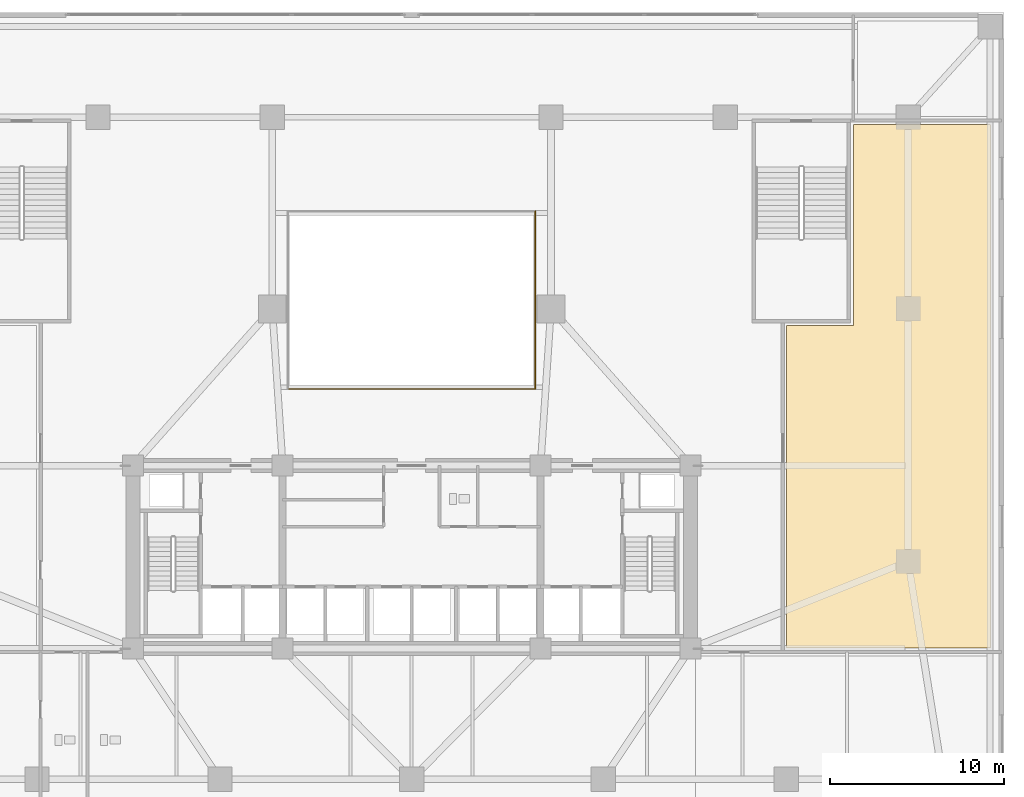
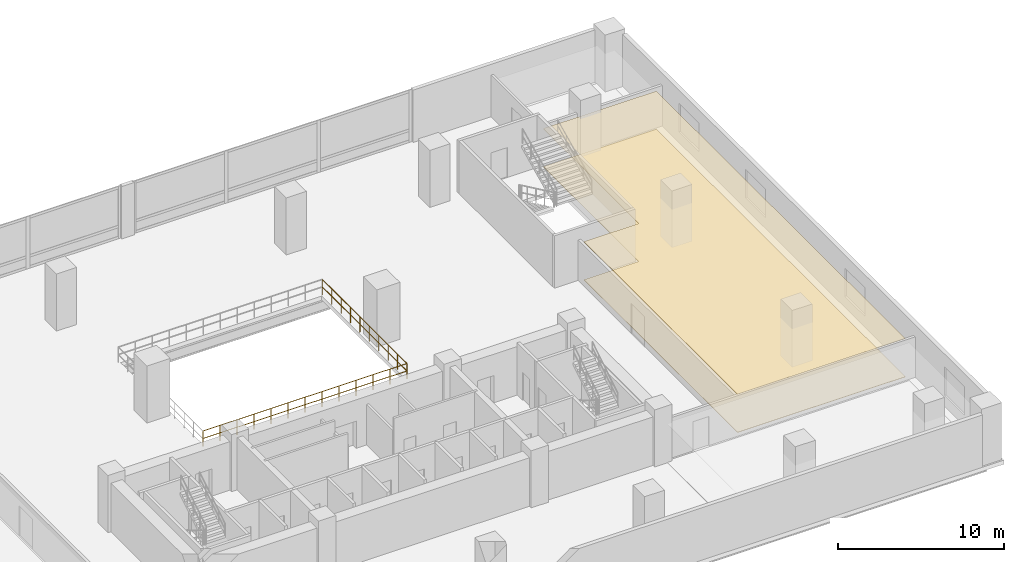
# One storey, part 12 of 15: 2 coverings, 2 railings.
"""IFC4 building model written with IfcOpenShell, lengths in metres."""

import ifcopenshell
import ifcopenshell.guid

model = None  # the IFC model being written
_history = None  # IfcOwnerHistory: only IFC2X3 demands one
_inside = {}  # id of a spatial element -> (the spatial element, [elements in it])
_under = {}  # id of a project, library or spatial element -> (it, [spatial elements below it])
_declared = {}  # id of a project -> (the project, [libraries it declares])
_typed = {}  # id of a type object -> (the type object, [elements of that type])
_made_of = {}  # id of a material, layer set ... -> (it, [elements and type objects made of it])


def new_model(schema):
    """Start an empty IFC model of exactly this schema.

    Asked for "IFC4X3", IfcOpenShell would pick the latest addendum, in which some entities
    have other attributes; the version numbers below select the first issue.
    IFC2X3 requires an IfcOwnerHistory on every rooted entity: one is made here for all.
    """
    global model, _history
    if schema == "IFC4X3":
        model = ifcopenshell.file(schema_version=(4, 3, 0, 0))
    else:
        model = ifcopenshell.file(schema=schema)
    _inside.clear()
    _under.clear()
    _declared.clear()
    _typed.clear()
    _made_of.clear()
    _history = None
    if model.schema == "IFC2X3":
        org = make("IfcOrganization", Name="unknown")
        user = make(
            "IfcPersonAndOrganization",
            ThePerson=make("IfcPerson", FamilyName="unknown"),
            TheOrganization=org,
        )
        app = make(
            "IfcApplication",
            ApplicationDeveloper=org,
            Version="unknown",
            ApplicationFullName="unknown",
            ApplicationIdentifier="unknown",
        )
        _history = make(
            "IfcOwnerHistory",
            OwningUser=user,
            OwningApplication=app,
            ChangeAction="ADDED",
            CreationDate=0,
        )
    return model


def make(cls, **values):
    """One entity of the class cls with the attributes given. An attribute that is None is left unset."""
    return model.create_entity(
        cls, **{name: value for name, value in values.items() if value is not None}
    )


def rooted(cls, **values):
    """An entity with a GlobalId (a new one), such as an element, a storey or a relation."""
    return make(cls, GlobalId=ifcopenshell.guid.new(), OwnerHistory=_history, **values)


def si_unit(unit_type, name, prefix=None):
    """IfcSIUnit, for example si_unit("LENGTHUNIT", "METRE", prefix="MILLI")."""
    return make("IfcSIUnit", UnitType=unit_type, Prefix=prefix, Name=name)


def assignment(units):
    """IfcUnitAssignment: the units of a project."""
    return None if units is None else make("IfcUnitAssignment", Units=units)


def point(xyz):
    """IfcCartesianPoint."""
    return None if xyz is None else make("IfcCartesianPoint", Coordinates=xyz)


def direction(xyz):
    """IfcDirection."""
    return None if xyz is None else make("IfcDirection", DirectionRatios=xyz)


def frame(location, z_axis=None, x_axis=None):
    """IfcAxis2Placement3D, a coordinate frame: its origin and axes. An axis left out is left unset."""
    return make(
        "IfcAxis2Placement3D",
        Location=point(location),
        Axis=direction(z_axis),
        RefDirection=direction(x_axis),
    )


def frame_2d(location, x_axis=None):
    """IfcAxis2Placement2D, a coordinate frame in the plane: its origin and x axis."""
    return make(
        "IfcAxis2Placement2D", Location=point(location), RefDirection=direction(x_axis)
    )


def origin():
    """The frame at (0, 0, 0) with its axes left unset."""
    return frame((0.0, 0.0, 0.0))


def origin_2d():
    """The frame at (0, 0) in the plane with its x axis left unset."""
    return frame_2d((0.0, 0.0))


def place(relative_to, where):
    """IfcLocalPlacement: puts the frame where relative to a parent placement (None: the world)."""
    return make(
        "IfcLocalPlacement", PlacementRelTo=relative_to, RelativePlacement=where
    )


def context(
    kind, dimensions, precision=None, world=None, true_north=None, identifier=None
):
    """IfcGeometricRepresentationContext, for example the 3D "Model" context."""
    return make(
        "IfcGeometricRepresentationContext",
        ContextIdentifier=identifier,
        ContextType=kind,
        CoordinateSpaceDimension=dimensions,
        Precision=precision,
        WorldCoordinateSystem=world,
        TrueNorth=true_north,
    )


def subcontext(parent, identifier, kind, view, scale=None):
    """IfcGeometricRepresentationSubContext, for example "Body" below "Model"."""
    return make(
        "IfcGeometricRepresentationSubContext",
        ContextIdentifier=identifier,
        ContextType=kind,
        ParentContext=parent,
        TargetScale=scale,
        TargetView=view,
    )


def project(units=None, contexts=None):
    """IfcProject with its units and contexts."""
    return rooted(
        "IfcProject",
        Name="project",
        RepresentationContexts=contexts,
        UnitsInContext=assignment(units),
    )


def spatial(cls, under=None, at=None, **own):
    """A site, building, storey or space (cls), placed at a placement, below another one or the project."""
    s = rooted(cls, ObjectPlacement=at, **own)
    if under is not None:
        _under.setdefault(under.id(), (under, []))[1].append(s)
    return s


def polyline(points):
    """IfcPolyline through the points."""
    return make("IfcPolyline", Points=[point(p) for p in points])


def profile(cls, at=None, kind="AREA", **sizes):
    """A parametric profile (cls). Its sizes go by their IFC names, for example OverallWidth=200.0."""
    return make(cls, ProfileType=kind, Position=at, **sizes)


def circle(**sizes):
    """IfcCircleProfileDef."""
    return profile("IfcCircleProfileDef", **sizes)


def outline(outer, holes=None, kind="AREA"):
    """IfcArbitraryClosedProfileDef: a profile drawn as a closed curve; with holes, ...WithVoids."""
    if holes is None:
        return make("IfcArbitraryClosedProfileDef", ProfileType=kind, OuterCurve=outer)
    return make(
        "IfcArbitraryProfileDefWithVoids",
        ProfileType=kind,
        OuterCurve=outer,
        InnerCurves=holes,
    )


def extrude(swept, where, along, depth):
    """IfcExtrudedAreaSolid: the profile swept, set in the frame where, extruded along a direction by depth."""
    return make(
        "IfcExtrudedAreaSolid",
        SweptArea=swept,
        Position=where,
        ExtrudedDirection=direction(along),
        Depth=depth,
    )


def shape(context_of_items, identifier, shape_type, items):
    """IfcShapeRepresentation: the items that make up one representation, for example the "Body"."""
    return make(
        "IfcShapeRepresentation",
        ContextOfItems=context_of_items,
        RepresentationIdentifier=identifier,
        RepresentationType=shape_type,
        Items=items,
    )


def material(Name=None, Category=None):
    """IfcMaterial."""
    return make("IfcMaterial", Name=Name, Category=Category)


def layer(
    of_material, thickness, ventilated=None, Name=None, Category=None, Priority=None
):
    """IfcMaterialLayer: one layer of a wall or slab, of a material (None: an air gap)."""
    return make(
        "IfcMaterialLayer",
        Material=of_material,
        LayerThickness=thickness,
        IsVentilated=ventilated,
        Name=Name,
        Category=Category,
        Priority=Priority,
    )


def layer_set(layers, Name=None):
    """IfcMaterialLayerSet."""
    return make("IfcMaterialLayerSet", MaterialLayers=layers, LayerSetName=Name)


def made_of(thing, what):
    """Note that an element or type object is made of a material, layer set ...; save() writes the relation."""
    if what is not None:
        _made_of.setdefault(what.id(), (what, []))[1].append(thing)
    return thing


def type_object(cls, material=None, **own):
    """A type object (cls), such as IfcWallType, which elements share."""
    return made_of(rooted(cls, **own), material)


def element(
    cls,
    number,
    at=None,
    inside=None,
    cuts=None,
    type_object=None,
    material=None,
    context=None,
    identifier="Body",
    shape_type=None,
    held_by="IfcProductDefinitionShape",
    body=None,
    shapes=None,
    **own,
):
    """One element of the class cls, such as IfcWall. Its Tag is "e" and its number.

    at: its placement. inside: the storey or other place that contains it. cuts: it is an
    opening in that element (IfcRelVoidsElement). A single representation is given by context,
    identifier, shape_type and body (its items); several are given by shapes. held_by: the class
    of the entity that holds the representations. save() writes the other relations.
    """
    e = rooted(cls, Tag="e%d" % number, ObjectPlacement=at, **own)
    if body is not None:
        shapes = [shape(context, identifier, shape_type, body)]
    if shapes is not None:
        e.Representation = make(held_by, Representations=shapes)
    if inside is not None:
        _inside.setdefault(inside.id(), (inside, []))[1].append(e)
    if cuts is not None:
        rooted(
            "IfcRelVoidsElement", RelatingBuildingElement=cuts, RelatedOpeningElement=e
        )
    if type_object is not None:
        _typed.setdefault(type_object.id(), (type_object, []))[1].append(e)
    return made_of(e, material)


def aggregate(whole, parts):
    """IfcRelAggregates: a whole, such as a stair, and the parts it consists of."""
    return rooted("IfcRelAggregates", RelatingObject=whole, RelatedObjects=parts)


def save(model, path):
    """Write the relations noted so far, then the file.

    IfcRelAggregates (storeys below a building ...), IfcRelContainedInSpatialStructure (elements
    in a storey), IfcRelDefinesByType, IfcRelAssociatesMaterial and IfcRelDeclares: one each for
    every whole, place, type object, material and project.
    """
    for whole, parts in _under.values():
        aggregate(whole, parts)
    for where, things in _inside.values():
        rooted(
            "IfcRelContainedInSpatialStructure",
            RelatedElements=things,
            RelatingStructure=where,
        )
    for kind, things in _typed.values():
        rooted("IfcRelDefinesByType", RelatedObjects=things, RelatingType=kind)
    for what, things in _made_of.values():
        rooted("IfcRelAssociatesMaterial", RelatedObjects=things, RelatingMaterial=what)
    for by, libraries in _declared.values():
        rooted("IfcRelDeclares", RelatingContext=by, RelatedDefinitions=libraries)
    model.write(path)


model = new_model("IFC4")

# Units and contexts
model_context = context("Model", 3, precision=1e-05, world=origin(), true_north=direction((0.0, 1.0)))
body_context = subcontext(model_context, "Body", "Model", "MODEL_VIEW")
ifc_project = project(units=[si_unit("LENGTHUNIT", "METRE"), si_unit("AREAUNIT", "SQUARE_METRE"), si_unit("VOLUMEUNIT", "CUBIC_METRE"), si_unit("PLANEANGLEUNIT", "RADIAN"), si_unit("MASSUNIT", "GRAM", prefix="KILO")], contexts=[model_context])

# Site, building, storey
site_placement = place(None, origin())
site = spatial("IfcSite", under=ifc_project, at=site_placement, CompositionType="ELEMENT")
building_placement = place(site_placement, origin())
building = spatial("IfcBuilding", under=site, at=building_placement, Name="Solmavex Isthmus Hotel", CompositionType="ELEMENT")
storey_placement = place(building_placement, frame((0.0, 0.0, 16.199951171875)))
storey = spatial("IfcBuildingStorey", under=building, at=storey_placement, Name="L04", CompositionType="ELEMENT", Elevation=16.199951171875)

# Coverings
ifc_material_1 = material(Name="Gypsum plasterboard lining", Category="gypsum")
ifc_layer_1 = layer(ifc_material_1, 0.030029296875)
ifc_layer_set_1 = layer_set([ifc_layer_1], Name="Gypsum plasterboard lining")
covering_type_1 = type_object("IfcCoveringType", Name="COV-CEIL-GYP", PredefinedType="CEILING", material=ifc_layer_set_1)
covering_1_placement = place(storey_placement, frame((0.0, 0.0, 2.800048828125)))
element("IfcCovering", 1, at=covering_1_placement, inside=storey, type_object=covering_type_1, Name="Suspended Acoustic Ceiling L04-CF02", PredefinedType="CEILING", context=body_context, shape_type="SweptSolid", body=[
    extrude(outline(polyline([(25.35009765625, 17.070068359375), (25.35009765625, 5.550048828125), (21.530029296875, 5.550048828125), (21.530029296875, -12.969970703125), (33.219970703125, -12.969970703125), (33.219970703125, 17.070068359375), (25.35009765625, 17.070068359375)])), origin(), (0.0, 0.0, 1.0), 0.030029296875),
])
ifc_material_2 = material(Name="Travertine natural stone", Category="masonry")
ifc_layer_2 = layer(ifc_material_2, 0.02490234375)
ifc_layer_set_2 = layer_set([ifc_layer_2], Name="Travertine natural stone")
covering_type_2 = type_object("IfcCoveringType", Name="COV-FLOR-STN", PredefinedType="FLOORING", material=ifc_layer_set_2)
covering_2_placement = place(storey_placement, origin())
element("IfcCovering", 2, at=covering_2_placement, inside=storey, type_object=covering_type_2, Name="Stone and Timber Floor Finish L04-CF02", PredefinedType="FLOORING", context=body_context, shape_type="SweptSolid", body=[
    extrude(outline(polyline([(25.35009765625, 17.070068359375), (25.35009765625, 5.550048828125), (21.530029296875, 5.550048828125), (21.530029296875, -12.969970703125), (33.219970703125, -12.969970703125), (33.219970703125, 17.070068359375), (25.35009765625, 17.070068359375)])), origin(), (0.0, 0.0, 1.0), 0.025146484375),
])

# Railings
ifc_material_3 = material(Name="Clear low-E laminated glass", Category="glass")
ifc_layer_3 = layer(ifc_material_3, 0.080078125)
ifc_layer_set_3 = layer_set([ifc_layer_3], Name="Clear low-E laminated glass")
railing_type = type_object("IfcRailingType", Name="RAIL-ATRIUM-1120", PredefinedType="BALUSTRADE", material=ifc_layer_set_3)
railing_1_placement = place(storey_placement, frame((-7.10009765625, 1.89990234375, 0.0)))
element("IfcRailing", 3, at=railing_1_placement, inside=storey, type_object=railing_type, Name="Guardrail Balustrade L04-ATRIUM-01", PredefinedType="BALUSTRADE", context=body_context, shape_type="SweptSolid", body=[
    extrude(circle(Radius=0.02392578125, at=origin_2d()), frame((0.0, 0.0, 1.1259765625), z_axis=(1.0, 0.0, 0.0), x_axis=(0.0, 1.0, 0.0)), (0.0, 0.0, 1.0), 14.2001953125),
    extrude(circle(Radius=0.02392578125, at=origin_2d()), frame((0.0, 0.0, 0.574951171875), z_axis=(1.0, 0.0, 0.0), x_axis=(0.0, 1.0, 0.0)), (0.0, 0.0, 1.0), 14.2001953125),
    extrude(circle(Radius=0.02099609375, at=origin_2d()), origin(), (0.0, 0.0, 1.0), 1.101806640625),
    extrude(circle(Radius=0.02099609375, at=origin_2d()), frame((1.183349609375, 0.0, 0.0)), (0.0, 0.0, 1.0), 1.101806640625),
    extrude(circle(Radius=0.02099609375, at=origin_2d()), frame((2.36669921875, 0.0, 0.0)), (0.0, 0.0, 1.0), 1.101806640625),
    extrude(circle(Radius=0.02099609375, at=origin_2d()), frame((3.550048828125, 0.0, 0.0)), (0.0, 0.0, 1.0), 1.101806640625),
    extrude(circle(Radius=0.02099609375, at=origin_2d()), frame((4.7333984375, 0.0, 0.0)), (0.0, 0.0, 1.0), 1.101806640625),
    extrude(circle(Radius=0.02099609375, at=origin_2d()), frame((5.916748046875, 0.0, 0.0)), (0.0, 0.0, 1.0), 1.101806640625),
    extrude(circle(Radius=0.02099609375, at=origin_2d()), frame((7.10009765625, 0.0, 0.0)), (0.0, 0.0, 1.0), 1.101806640625),
    extrude(circle(Radius=0.02099609375, at=origin_2d()), frame((8.283447265625, 0.0, 0.0)), (0.0, 0.0, 1.0), 1.101806640625),
    extrude(circle(Radius=0.02099609375, at=origin_2d()), frame((9.466796875, 0.0, 0.0)), (0.0, 0.0, 1.0), 1.101806640625),
    extrude(circle(Radius=0.02099609375, at=origin_2d()), frame((10.650146484375, 0.0, 0.0)), (0.0, 0.0, 1.0), 1.101806640625),
    extrude(circle(Radius=0.02099609375, at=origin_2d()), frame((11.83349609375, 0.0, 0.0)), (0.0, 0.0, 1.0), 1.101806640625),
    extrude(circle(Radius=0.02099609375, at=origin_2d()), frame((13.016845703125, 0.0, 0.0)), (0.0, 0.0, 1.0), 1.101806640625),
    extrude(circle(Radius=0.02099609375, at=origin_2d()), frame((14.2001953125, 0.0, 0.0)), (0.0, 0.0, 1.0), 1.101806640625),
])
railing_2_placement = place(storey_placement, frame((7.10009765625, 1.89990234375, 0.0)))
element("IfcRailing", 4, at=railing_2_placement, inside=storey, type_object=railing_type, Name="Guardrail Balustrade L04-ATRIUM-02", PredefinedType="BALUSTRADE", context=body_context, shape_type="SweptSolid", body=[
    extrude(circle(Radius=0.02392578125, at=origin_2d()), frame((0.0, 0.0, 1.1259765625), z_axis=(0.0, 1.0, 0.0), x_axis=(-1.0, 0.0, 0.0)), (0.0, 0.0, 1.0), 10.2001953125),
    extrude(circle(Radius=0.02392578125, at=origin_2d()), frame((0.0, 0.0, 0.574951171875), z_axis=(0.0, 1.0, 0.0), x_axis=(-1.0, 0.0, 0.0)), (0.0, 0.0, 1.0), 10.2001953125),
    extrude(circle(Radius=0.02099609375, at=origin_2d()), origin(), (0.0, 0.0, 1.0), 1.101806640625),
    extrude(circle(Radius=0.02099609375, at=origin_2d()), frame((0.0, 1.13330078125, 0.0)), (0.0, 0.0, 1.0), 1.101806640625),
    extrude(circle(Radius=0.02099609375, at=origin_2d()), frame((0.0, 2.2666015625, 0.0)), (0.0, 0.0, 1.0), 1.101806640625),
    extrude(circle(Radius=0.02099609375, at=origin_2d()), frame((0.0, 3.400146484375, 0.0)), (0.0, 0.0, 1.0), 1.101806640625),
    extrude(circle(Radius=0.02099609375, at=origin_2d()), frame((0.0, 4.533447265625, 0.0)), (0.0, 0.0, 1.0), 1.101806640625),
    extrude(circle(Radius=0.02099609375, at=origin_2d()), frame((0.0, 5.666748046875, 0.0)), (0.0, 0.0, 1.0), 1.101806640625),
    extrude(circle(Radius=0.02099609375, at=origin_2d()), frame((0.0, 6.800048828125, 0.0)), (0.0, 0.0, 1.0), 1.101806640625),
    extrude(circle(Radius=0.02099609375, at=origin_2d()), frame((0.0, 7.93359375, 0.0)), (0.0, 0.0, 1.0), 1.101806640625),
    extrude(circle(Radius=0.02099609375, at=origin_2d()), frame((0.0, 9.06689453125, 0.0)), (0.0, 0.0, 1.0), 1.101806640625),
    extrude(circle(Radius=0.02099609375, at=origin_2d()), frame((0.0, 10.2001953125, 0.0)), (0.0, 0.0, 1.0), 1.101806640625),
])

save(model, "model.ifc")
